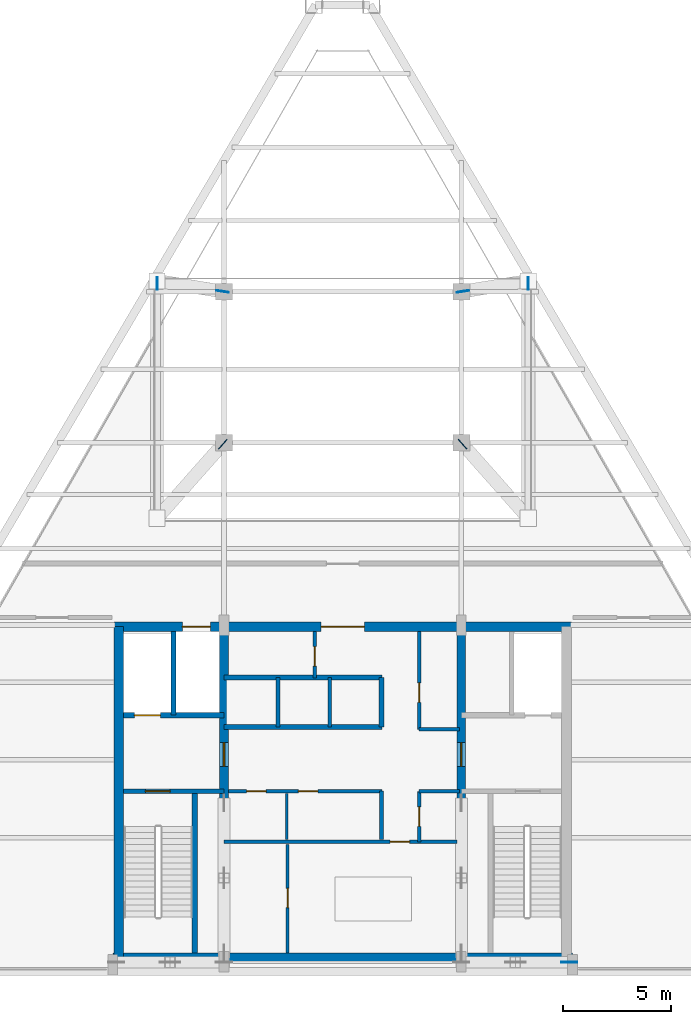
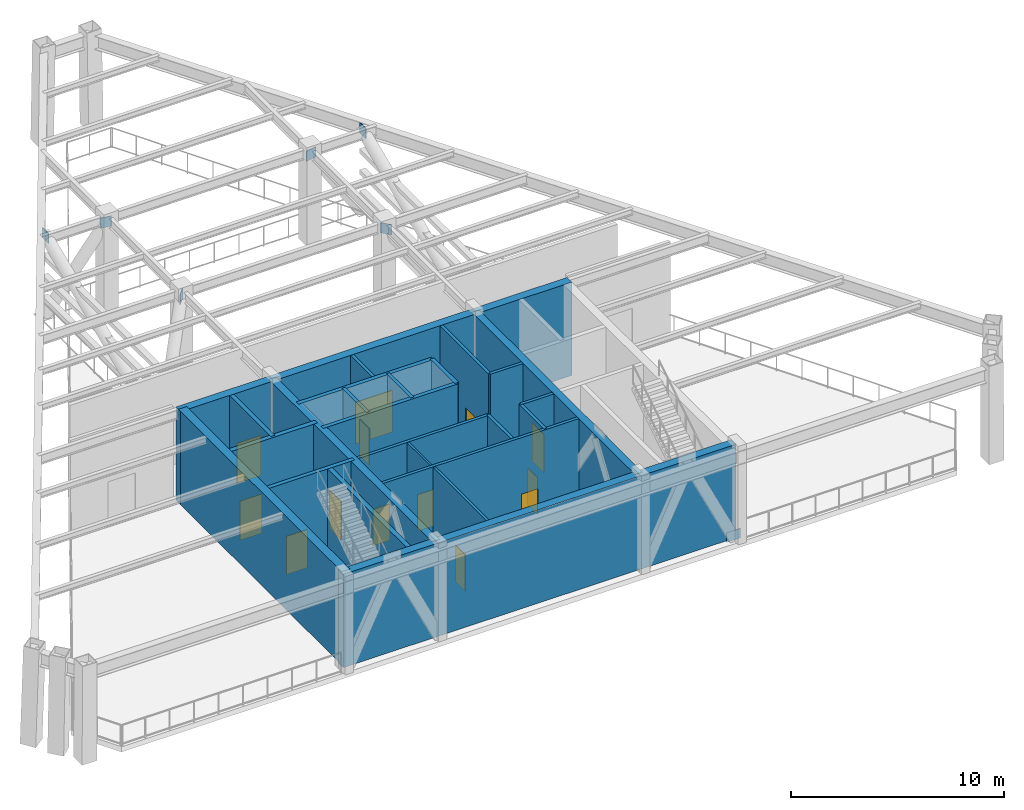
# One storey, part 3 of 6: 24 walls, 13 doors, 7 plates, 13 openings.
"""IFC4 building model written with IfcOpenShell, lengths in metres."""

from ifc_helpers import new_model, si_unit, direction, frame, frame_2d, origin, origin_2d, place, context, subcontext, project, spatial, rectangle, extrude, source, transform, mapped, material, layer, layer_set, type_object, type_shapes, element, fill, save


model = new_model("IFC4")

# Units and contexts
model_context = context("Model", 3, precision=1e-05, world=origin(), true_north=direction((0.0, 1.0)))
body_context = subcontext(model_context, "Body", "Model", "MODEL_VIEW")
ifc_project = project(units=[si_unit("LENGTHUNIT", "METRE"), si_unit("AREAUNIT", "SQUARE_METRE"), si_unit("VOLUMEUNIT", "CUBIC_METRE"), si_unit("PLANEANGLEUNIT", "RADIAN"), si_unit("MASSUNIT", "GRAM", prefix="KILO")], contexts=[model_context])

# Site, building, storey
site_placement = place(None, origin())
site = spatial("IfcSite", under=ifc_project, at=site_placement, CompositionType="ELEMENT")
building_placement = place(site_placement, origin())
building = spatial("IfcBuilding", under=site, at=building_placement, Name="Varnakhor Terracotta Tower", CompositionType="ELEMENT")
storey_placement = place(building_placement, frame((0.0, 0.0, 304.050048828125)))
storey = spatial("IfcBuildingStorey", under=building, at=storey_placement, Name="L80", CompositionType="ELEMENT", Elevation=304.050048828125)

# Plates
ifc_material_1 = material(Name="Steel S460", Category="steel")
ifc_layer_1 = layer(ifc_material_1, 0.050048828125, Name="Steel S460")
ifc_layer_set_1 = layer_set([ifc_layer_1], Name="Steel S460")
plate_type = type_object("IfcPlateType", Name="PLT-GUSSET-50", PredefinedType="USERDEFINED", material=ifc_layer_set_1)
shared_shape_1 = source(origin(), body_context, "Body", "SweptSolid", [
    extrude(rectangle(XDim=0.75, YDim=0.0400390625, at=origin_2d()), origin(), (0.0, 0.0, 1.0), 0.550048828125),
])
type_shapes(plate_type, [shared_shape_1])
plate_placement = place(storey_placement, frame((10.5, 0.419921875, -0.09521484375), z_axis=(0.0, 0.0, 1.0), x_axis=(1.0, 0.0, 0.0)))
element("IfcPlate", 1, at=plate_placement, inside=storey, type_object=plate_type, Name="L80 Core Brace Embed Plate CSEB", ObjectType="GUSSET PLATE", PredefinedType="USERDEFINED", context=body_context, shape_type="MappedRepresentation", body=[
    mapped(shared_shape_1, transform((0.0, 0.0, 0.0), scale=1.0)),
])
shared_shape_2 = source(origin(), body_context, "Body", "SweptSolid", [
    extrude(rectangle(XDim=0.580078125, YDim=0.0400390625, at=origin_2d()), origin(), (0.0, 0.0, 1.0), 0.580078125),
])
for number, where, z_axis, x_axis, name in (
    (2, (-5.55615234375, 24.4365234375, 4.624755859375), (0.0, 0.0, 1.0), (0.663038240634, 0.748585527149, 0.0), "L80 Brace End Connection Plate 232"),
    (3, (5.55615234375, 24.4365234375, 4.624755859375), (0.0, 0.0, 1.0), (-0.663038240634, 0.748585527149, 0.0), "L80 Brace End Connection Plate 233"),
    (4, (-5.56591796875, 31.510498046875, 4.610107421875), (0.0, 0.0, 1.0), (0.98724208518, -0.159226459013, 0.0), "L80 Brace End Connection Plate 234"),
    (5, (5.56591796875, 31.510498046875, 4.610107421875), (0.0, 0.0, 1.0), (-0.98724208518, -0.159226459013, 0.0), "L80 Brace End Connection Plate 235"),
    (6, (-8.60009765625, 31.8896484375, 4.662841796875), (0.0, 0.0, 1.0), (0.0, 1.0, 0.0), "L80 Brace End Connection Plate 236"),
    (7, (8.60009765625, 31.8896484375, 4.662841796875), (0.0, 0.0, 1.0), (0.0, 1.0, 0.0), "L80 Brace End Connection Plate 237"),
):
    element("IfcPlate", number, at=place(storey_placement, frame(where, z_axis=z_axis, x_axis=x_axis)), inside=storey, type_object=plate_type, Name=name, ObjectType="GUSSET PLATE", PredefinedType="USERDEFINED", context=body_context, shape_type="MappedRepresentation", body=[
        mapped(shared_shape_2, transform((0.0, 0.0, 0.0), scale=1.0)),
    ])

# Wall
ifc_material_2 = material(Name="Concrete C50/60", Category="concrete")
ifc_layer_2 = layer(ifc_material_2, 0.449951171875, Name="Concrete C50/60")
ifc_layer_set_2 = layer_set([ifc_layer_2], Name="Concrete C50/60")
wall_type_1 = type_object("IfcWallType", Name="WAL-CORE-450", PredefinedType="SHEAR", material=ifc_layer_set_2)
wall_1_placement = place(storey_placement, frame((-10.64990234375, 0.625, 0.0), z_axis=(0.0, 0.0, 1.0), x_axis=(1.0, 0.0, 0.0)))
element("IfcWall", 8, at=wall_1_placement, inside=storey, type_object=wall_type_1, Name="L80 South Core Shear Wall", PredefinedType="SHEAR", context=body_context, shape_type="SweptSolid", body=[
    extrude(rectangle(XDim=21.2998046875, YDim=0.449951171875, at=frame_2d((10.64990234375, 0.0))), origin(), (0.0, 0.0, 1.0), 5.349853515625),
])

# Wall, openings, doors
wall_2_placement = place(storey_placement, frame((-10.60009765625, 15.97509765625, 0.0), z_axis=(0.0, 0.0, 1.0), x_axis=(1.0, 0.0, 0.0)))
wall_2 = element("IfcWall", 9, at=wall_2_placement, inside=storey, type_object=wall_type_1, Name="L80 North Core Shear Wall", PredefinedType="SHEAR", context=body_context, shape_type="SweptSolid", body=[
    extrude(rectangle(XDim=21.2001953125, YDim=0.449951171875, at=frame_2d((10.60009765625, 0.0))), origin(), (0.0, 0.0, 1.0), 5.349853515625),
])
opening_1_placement = place(wall_2_placement, frame((3.169921875, 0.0, 0.0)))
opening_1 = element("IfcOpeningElement", 10, at=opening_1_placement, cuts=wall_2, Name="Opening LD-03", PredefinedType="OPENING", context=body_context, shape_type="SweptSolid", body=[
    extrude(rectangle(XDim=1.300048828125, YDim=2.300048828125, at=frame_2d((0.64990234375, 1.14990234375))), frame((0.0, 0.23486328125, 0.0), z_axis=(0.0, -1.0, 0.0), x_axis=(1.0, 0.0, 0.0)), (0.0, 0.0, 1.0), 0.469970703125),
])
opening_2_placement = place(wall_2_placement, frame((9.60009765625, 0.0, 0.0)))
opening_2 = element("IfcOpeningElement", 11, at=opening_2_placement, cuts=wall_2, Name="Opening DR-32", PredefinedType="OPENING", context=body_context, shape_type="SweptSolid", body=[
    extrude(rectangle(XDim=2.0, YDim=2.39990234375, at=frame_2d((1.0, 1.199951171875))), frame((0.0, 0.23486328125, 0.0), z_axis=(0.0, -1.0, 0.0), x_axis=(1.0, 0.0, 0.0)), (0.0, 0.0, 1.0), 0.469970703125),
])
ifc_material_3 = material(Name="Heavy-Duty Goods Sliding Lift Landing Door", Category="steel")
door_type_1 = type_object("IfcDoorType", Name="LD-SRV-1300X2300", OperationType="NOTDEFINED", PredefinedType="DOOR", material=ifc_material_3)
shared_shape_3 = source(origin(), body_context, "Body", "SweptSolid", [
    extrude(rectangle(XDim=1.300048828125, YDim=2.300048828125, at=frame_2d((0.64990234375, 1.14990234375))), frame((0.0, 0.02490234375, 0.0), z_axis=(0.0, -1.0, 0.0), x_axis=(1.0, 0.0, 0.0)), (0.0, 0.0, 1.0), 0.050048828125),
])
type_shapes(door_type_1, [shared_shape_3])
door_1_placement = place(opening_1_placement, origin())
door_1 = element("IfcDoor", 12, at=door_1_placement, inside=storey, type_object=door_type_1, Name="L80 Service Lift SVL-1 Landing Door", OperationType="SLIDING_TO_RIGHT", OverallHeight=2.300048828125, OverallWidth=1.300048828125, PredefinedType="DOOR", context=body_context, shape_type="MappedRepresentation", body=[
    mapped(shared_shape_3, transform((0.0, 0.0, 0.0), scale=1.0)),
])
fill(opening_1, door_1)
ifc_material_4 = material(Name="Acoustic Double Assembly Fire Door", Category="wood")
door_type_2 = type_object("IfcDoorType", Name="DR-HALL-2000X2400", OperationType="NOTDEFINED", PredefinedType="DOOR", material=ifc_material_4)
shared_shape_4 = source(origin(), body_context, "Body", "SweptSolid", [
    extrude(rectangle(XDim=2.0, YDim=2.39990234375, at=frame_2d((1.0, 1.199951171875))), frame((0.0, 0.02490234375, 0.0), z_axis=(0.0, -1.0, 0.0), x_axis=(1.0, 0.0, 0.0)), (0.0, 0.0, 1.0), 0.050048828125),
])
type_shapes(door_type_2, [shared_shape_4])
door_2_placement = place(opening_2_placement, origin())
door_2 = element("IfcDoor", 13, at=door_2_placement, inside=storey, type_object=door_type_2, Name="L80 Core Main Lobby Double Door", OperationType="DOUBLE_DOOR_SINGLE_SWING", OverallHeight=2.39990234375, OverallWidth=2.0, PredefinedType="DOOR", context=body_context, shape_type="MappedRepresentation", body=[
    mapped(shared_shape_4, transform((0.0, 0.0, 0.0), scale=1.0)),
])
fill(opening_2, door_2)

# Wall
wall_3_placement = place(storey_placement, frame((-10.375, 0.625, 0.0), z_axis=(0.0, 0.0, 1.0), x_axis=(0.0, 1.0, 0.0)))
element("IfcWall", 14, at=wall_3_placement, inside=storey, type_object=wall_type_1, Name="L80 West Core Shear Wall", PredefinedType="SHEAR", context=body_context, shape_type="SweptSolid", body=[
    extrude(rectangle(XDim=15.35009765625, YDim=0.449951171875, at=frame_2d((7.675048828125, 0.0))), origin(), (0.0, 0.0, 1.0), 5.349853515625),
])

# Wall, opening, door
ifc_layer_3 = layer(ifc_material_2, 0.39990234375, Name="Concrete C50/60")
ifc_layer_set_3 = layer_set([ifc_layer_3], Name="Concrete C50/60")
wall_type_2 = type_object("IfcWallType", Name="WAL-CORE-WEB-400", PredefinedType="SHEAR", material=ifc_layer_set_3)
wall_4_placement = place(storey_placement, frame((-5.5, 0.625, 0.0), z_axis=(0.0, 0.0, 1.0), x_axis=(0.0, 1.0, 0.0)))
wall_4 = element("IfcWall", 15, at=wall_4_placement, inside=storey, type_object=wall_type_2, Name="L80 West Core Web Shear Wall", PredefinedType="SHEAR", context=body_context, shape_type="SweptSolid", body=[
    extrude(rectangle(XDim=15.35009765625, YDim=0.39990234375, at=frame_2d((7.675048828125, 0.0))), origin(), (0.0, 0.0, 1.0), 5.349853515625),
])
opening_3_placement = place(wall_4_placement, frame((8.875, 0.0, 0.0)))
opening_3 = element("IfcOpeningElement", 16, at=opening_3_placement, cuts=wall_4, Name="Opening DR-25", PredefinedType="OPENING", context=body_context, shape_type="SweptSolid", body=[
    extrude(rectangle(XDim=1.10009765625, YDim=2.199951171875, at=frame_2d((0.550048828125, 1.10009765625))), frame((0.0, 0.2099609375, 0.0), z_axis=(0.0, -1.0, 0.0), x_axis=(1.0, 0.0, 0.0)), (0.0, 0.0, 1.0), 0.419921875),
])
ifc_material_5 = material(Name="Firefighting Lobby Self-Closing Fire Door", Category="steel")
door_type_3 = type_object("IfcDoorType", Name="DR-FFL-1100X2200", OperationType="NOTDEFINED", PredefinedType="DOOR", material=ifc_material_5)
shared_shape_5 = source(origin(), body_context, "Body", "SweptSolid", [
    extrude(rectangle(XDim=1.10009765625, YDim=2.199951171875, at=frame_2d((0.550048828125, 1.10009765625))), frame((0.0, 0.02490234375, 0.0), z_axis=(0.0, -1.0, 0.0), x_axis=(1.0, 0.0, 0.0)), (0.0, 0.0, 1.0), 0.050048828125),
])
type_shapes(door_type_3, [shared_shape_5])
door_3_placement = place(opening_3_placement, origin())
door_3 = element("IfcDoor", 17, at=door_3_placement, inside=storey, type_object=door_type_3, Name="L80 West Firefighting Lobby Door", OperationType="SINGLE_SWING_RIGHT", OverallHeight=2.199951171875, OverallWidth=1.10009765625, PredefinedType="DOOR", context=body_context, shape_type="MappedRepresentation", body=[
    mapped(shared_shape_5, transform((0.0, 0.0, 0.0), scale=1.0)),
])
fill(opening_3, door_3)

wall_5_placement = place(storey_placement, frame((5.5, 0.625, 0.0), z_axis=(0.0, 0.0, 1.0), x_axis=(0.0, 1.0, 0.0)))
wall_5 = element("IfcWall", 18, at=wall_5_placement, inside=storey, type_object=wall_type_2, Name="L80 East Core Web Shear Wall", PredefinedType="SHEAR", context=body_context, shape_type="SweptSolid", body=[
    extrude(rectangle(XDim=15.35009765625, YDim=0.39990234375, at=frame_2d((7.675048828125, 0.0))), origin(), (0.0, 0.0, 1.0), 5.349853515625),
])
opening_4_placement = place(wall_5_placement, frame((8.875, 0.0, 0.0)))
opening_4 = element("IfcOpeningElement", 19, at=opening_4_placement, cuts=wall_5, Name="Opening DR-25", PredefinedType="OPENING", context=body_context, shape_type="SweptSolid", body=[
    extrude(rectangle(XDim=1.10009765625, YDim=2.199951171875, at=frame_2d((0.550048828125, 1.10009765625))), frame((0.0, 0.2099609375, 0.0), z_axis=(0.0, -1.0, 0.0), x_axis=(1.0, 0.0, 0.0)), (0.0, 0.0, 1.0), 0.419921875),
])
door_4_placement = place(opening_4_placement, origin())
door_4 = element("IfcDoor", 20, at=door_4_placement, inside=storey, type_object=door_type_3, Name="L80 East Firefighting Lobby Door", OperationType="SINGLE_SWING_RIGHT", OverallHeight=2.199951171875, OverallWidth=1.10009765625, PredefinedType="DOOR", context=body_context, shape_type="MappedRepresentation", body=[
    mapped(shared_shape_5, transform((0.0, 0.0, 0.0), scale=1.0)),
])
fill(opening_4, door_4)

ifc_material_6 = material(Name="Concrete C40/50", Category="concrete")
ifc_layer_4 = layer(ifc_material_6, 0.219970703125, Name="Concrete C40/50")
ifc_layer_set_4 = layer_set([ifc_layer_4], Name="Concrete C40/50")
wall_type_3 = type_object("IfcWallType", Name="WAL-FFLOBBY-220", PredefinedType="SOLIDWALL", material=ifc_layer_set_4)
wall_6_placement = place(storey_placement, frame((-5.5, 8.35009765625, 0.0), z_axis=(0.0, 0.0, 1.0), x_axis=(-1.0, 0.0, 0.0)))
wall_6 = element("IfcWall", 21, at=wall_6_placement, inside=storey, type_object=wall_type_3, Name="L80 West Firefighting Lobby Stair Wall", PredefinedType="SOLIDWALL", context=body_context, shape_type="SweptSolid", body=[
    extrude(rectangle(XDim=4.64990234375, YDim=0.219970703125, at=frame_2d((2.324951171875, 0.0))), origin(), (0.0, 0.0, 1.0), 5.349853515625),
])
opening_5_placement = place(wall_6_placement, frame((2.5, 0.0, 0.0)))
opening_5 = element("IfcOpeningElement", 22, at=opening_5_placement, cuts=wall_6, Name="Opening DR-34", PredefinedType="OPENING", context=body_context, shape_type="SweptSolid", body=[
    extrude(rectangle(XDim=1.14990234375, YDim=2.199951171875, at=frame_2d((0.574951171875, 1.10009765625))), frame((0.0, 0.1201171875, 0.0), z_axis=(0.0, -1.0, 0.0), x_axis=(1.0, 0.0, 0.0)), (0.0, 0.0, 1.0), 0.239990234375),
])
ifc_material_7 = material(Name="Self-Closing Smoke-Sealed Steel Fire Door", Category="steel")
door_type_4 = type_object("IfcDoorType", Name="DR-STAIR-1150X2200", OperationType="NOTDEFINED", PredefinedType="DOOR", material=ifc_material_7)
shared_shape_6 = source(origin(), body_context, "Body", "SweptSolid", [
    extrude(rectangle(XDim=1.14990234375, YDim=2.199951171875, at=frame_2d((0.574951171875, 1.10009765625))), frame((0.0, 0.02490234375, 0.0), z_axis=(0.0, -1.0, 0.0), x_axis=(1.0, 0.0, 0.0)), (0.0, 0.0, 1.0), 0.050048828125),
])
type_shapes(door_type_4, [shared_shape_6])
door_5_placement = place(opening_5_placement, origin())
door_5 = element("IfcDoor", 23, at=door_5_placement, inside=storey, type_object=door_type_4, Name="L80 Exit Stair ST-1 Fire Door", OperationType="SINGLE_SWING_LEFT", OverallHeight=2.199951171875, OverallWidth=1.14990234375, PredefinedType="DOOR", context=body_context, shape_type="MappedRepresentation", body=[
    mapped(shared_shape_6, transform((0.0, 0.0, 0.0), scale=1.0)),
])
fill(opening_5, door_5)

# Walls
ifc_layer_5 = layer(ifc_material_6, 0.179931640625, Name="Concrete C40/50")
ifc_layer_set_5 = layer_set([ifc_layer_5], Name="Concrete C40/50")
wall_type_4 = type_object("IfcWallType", Name="WAL-SHAFT-180", PredefinedType="SOLIDWALL", material=ifc_layer_set_5)
for number, where, z_axis, x_axis, name in (
    (24, (-3.0, 11.320068359375, 0.0), (0.0, 0.0, 1.0), (0.0, 1.0, 0.0), "L80 PL-3A Divider"),
    (25, (-0.60009765625, 11.320068359375, 0.0), (0.0, 0.0, 1.0), (0.0, 1.0, 0.0), "L80 PL-3B Divider"),
):
    element("IfcWall", number, at=place(storey_placement, frame(where, z_axis=z_axis, x_axis=x_axis)), inside=storey, type_object=wall_type_4, Name=name, PredefinedType="SOLIDWALL", context=body_context, shape_type="SweptSolid", body=[
        extrude(rectangle(XDim=2.300048828125, YDim=0.179931640625, at=frame_2d((1.14990234375, 0.0))), origin(), (0.0, 0.0, 1.0), 5.349853515625),
    ])
ifc_layer_6 = layer(ifc_material_6, 0.219970703125, Name="Concrete C40/50")
ifc_layer_set_6 = layer_set([ifc_layer_6], Name="Concrete C40/50")
wall_type_5 = type_object("IfcWallType", Name="WAL-SHAFT-220", PredefinedType="SOLIDWALL", material=ifc_layer_set_6)
wall_7_placement = place(storey_placement, frame((-7.840087890625, 11.8701171875, 0.0), z_axis=(0.0, 0.0, 1.0), x_axis=(0.0, 1.0, 0.0)))
element("IfcWall", 26, at=wall_7_placement, inside=storey, type_object=wall_type_5, Name="L80 Lift FFL-1 and SVL-1 Divider Wall", PredefinedType="SOLIDWALL", context=body_context, shape_type="SweptSolid", body=[
    extrude(rectangle(XDim=3.8798828125, YDim=0.219970703125, at=frame_2d((1.93994140625, 0.0))), origin(), (0.0, 0.0, 1.0), 5.349853515625),
])
for number, where, z_axis, x_axis, name in (
    (27, (-5.5, 11.320068359375, 0.0), (0.0, 0.0, 1.0), (1.0, 0.0, 0.0), "L80 Bank 3 South Shaft Wall"),
    (28, (-5.5, 13.6201171875, 0.0), (0.0, 0.0, 1.0), (1.0, 0.0, 0.0), "L80 Bank 3 North Shaft Wall"),
):
    element("IfcWall", number, at=place(storey_placement, frame(where, z_axis=z_axis, x_axis=x_axis)), inside=storey, type_object=wall_type_5, Name=name, PredefinedType="SOLIDWALL", context=body_context, shape_type="SweptSolid", body=[
        extrude(rectangle(XDim=7.320068359375, YDim=0.219970703125, at=frame_2d((3.66015625, 0.0))), origin(), (0.0, 0.0, 1.0), 5.349853515625),
    ])
wall_8_placement = place(storey_placement, frame((1.800048828125, 11.320068359375, 0.0), z_axis=(0.0, 0.0, 1.0), x_axis=(0.0, 1.0, 0.0)))
element("IfcWall", 29, at=wall_8_placement, inside=storey, type_object=wall_type_5, Name="L80 Bank 3 East Shaft Wall", PredefinedType="SOLIDWALL", context=body_context, shape_type="SweptSolid", body=[
    extrude(rectangle(XDim=2.300048828125, YDim=0.219970703125, at=frame_2d((1.14990234375, 0.0))), origin(), (0.0, 0.0, 1.0), 5.349853515625),
])
ifc_layer_7 = layer(ifc_material_6, 0.25, Name="Concrete C40/50")
ifc_layer_set_7 = layer_set([ifc_layer_7], Name="Concrete C40/50")
wall_type_6 = type_object("IfcWallType", Name="WAL-SHAFT-250", PredefinedType="SOLIDWALL", material=ifc_layer_set_7)
wall_9_placement = place(storey_placement, frame((-6.85009765625, 0.85009765625, 0.0), z_axis=(0.0, 0.0, 1.0), x_axis=(0.0, 1.0, 0.0)))
element("IfcWall", 30, at=wall_9_placement, inside=storey, type_object=wall_type_6, Name="L80 Stair ST-1 Bearing Shaft Wall", PredefinedType="SOLIDWALL", context=body_context, shape_type="SweptSolid", body=[
    extrude(rectangle(XDim=7.5, YDim=0.25, at=frame_2d((3.75, 0.0))), origin(), (0.0, 0.0, 1.0), 5.349853515625),
])

# Wall, opening, door
wall_10_placement = place(storey_placement, frame((-5.5, 11.8701171875, 0.0), z_axis=(0.0, 0.0, 1.0), x_axis=(-1.0, 0.0, 0.0)))
wall_10 = element("IfcWall", 31, at=wall_10_placement, inside=storey, type_object=wall_type_6, Name="L80 Lift FFL-1 Shaft Front Wall", PredefinedType="SOLIDWALL", context=body_context, shape_type="SweptSolid", body=[
    extrude(rectangle(XDim=4.64990234375, YDim=0.25, at=frame_2d((2.324951171875, 0.0))), origin(), (0.0, 0.0, 1.0), 5.349853515625),
])
opening_6_placement = place(wall_10_placement, frame((2.949951171875, 0.0, 0.0)))
opening_6 = element("IfcOpeningElement", 32, at=opening_6_placement, cuts=wall_10, Name="Opening LD-02", PredefinedType="OPENING", context=body_context, shape_type="SweptSolid", body=[
    extrude(rectangle(XDim=1.199951171875, YDim=2.25, at=frame_2d((0.60009765625, 1.125))), frame((0.0, 0.135009765625, 0.0), z_axis=(0.0, -1.0, 0.0), x_axis=(1.0, 0.0, 0.0)), (0.0, 0.0, 1.0), 0.27001953125),
])
ifc_material_8 = material(Name="Firefighting Stretcher Sliding Lift Landing Door", Category="steel")
door_type_5 = type_object("IfcDoorType", Name="LD-FFL-1200X2250", OperationType="NOTDEFINED", PredefinedType="DOOR", material=ifc_material_8)
shared_shape_7 = source(origin(), body_context, "Body", "SweptSolid", [
    extrude(rectangle(XDim=1.199951171875, YDim=2.25, at=frame_2d((0.60009765625, 1.125))), frame((0.0, 0.02490234375, 0.0), z_axis=(0.0, -1.0, 0.0), x_axis=(1.0, 0.0, 0.0)), (0.0, 0.0, 1.0), 0.050048828125),
])
type_shapes(door_type_5, [shared_shape_7])
door_6_placement = place(opening_6_placement, origin())
door_6 = element("IfcDoor", 33, at=door_6_placement, inside=storey, type_object=door_type_5, Name="L80 Firefighting Lift FFL-1 Landing Door", OperationType="SLIDING_TO_LEFT", OverallHeight=2.25, OverallWidth=1.199951171875, PredefinedType="DOOR", context=body_context, shape_type="MappedRepresentation", body=[
    mapped(shared_shape_7, transform((0.0, 0.0, 0.0), scale=1.0)),
])
fill(opening_6, door_6)

# Wall
ifc_material_9 = material(Name="Acoustic Fire-Rated Partition", Category="gypsum")
ifc_layer_8 = layer(ifc_material_9, 0.114990234375, Name="Acoustic Fire-Rated Partition")
ifc_layer_set_8 = layer_set([ifc_layer_8], Name="Acoustic Fire-Rated Partition")
wall_type_7 = type_object("IfcWallType", Name="WAL-TENANCY-115", PredefinedType="PARTITIONING", material=ifc_layer_set_8)
wall_11_placement = place(storey_placement, frame((-2.60009765625, 6.10009765625, 0.0), z_axis=(0.0, 0.0, 1.0), x_axis=(0.0, 1.0, 0.0)))
element("IfcWall", 34, at=wall_11_placement, inside=storey, type_object=wall_type_7, Name="L80 Reclaimed Mid-Core Split Wall", PredefinedType="PARTITIONING", context=body_context, shape_type="SweptSolid", body=[
    extrude(rectangle(XDim=2.14990234375, YDim=0.114990234375, at=frame_2d((1.074951171875, 0.0))), origin(), (0.0, 0.0, 1.0), 5.342041015625),
])

# Wall, opening, door
ifc_layer_9 = layer(ifc_material_9, 0.139892578125, Name="Acoustic Fire-Rated Partition")
ifc_layer_set_9 = layer_set([ifc_layer_9], Name="Acoustic Fire-Rated Partition")
wall_type_8 = type_object("IfcWallType", Name="WAL-TENANCY-140", PredefinedType="PARTITIONING", material=ifc_layer_set_9)
wall_12_placement = place(storey_placement, frame((-2.550048828125, 0.85009765625, 0.0), z_axis=(0.0, 0.0, 1.0), x_axis=(0.0, 1.0, 0.0)))
wall_12 = element("IfcWall", 35, at=wall_12_placement, inside=storey, type_object=wall_type_8, Name="L80 Reclaimed Core Bay Split Wall", PredefinedType="PARTITIONING", context=body_context, shape_type="SweptSolid", body=[
    extrude(rectangle(XDim=5.02978515625, YDim=0.139892578125, at=frame_2d((2.514892578125, 0.0))), origin(), (0.0, 0.0, 1.0), 5.342041015625),
])
opening_7_placement = place(wall_12_placement, frame((2.10009765625, 0.0, 0.0)))
opening_7 = element("IfcOpeningElement", 36, at=opening_7_placement, cuts=wall_12, Name="Opening DR-67", PredefinedType="OPENING", context=body_context, shape_type="SweptSolid", body=[
    extrude(rectangle(XDim=0.89990234375, YDim=2.10009765625, at=frame_2d((0.449951171875, 1.050048828125))), frame((0.0, 0.080078125, 0.0), z_axis=(0.0, -1.0, 0.0), x_axis=(1.0, 0.0, 0.0)), (0.0, 0.0, 1.0), 0.159912109375),
])
ifc_material_10 = material(Name="Steel Service Riser Fire Door", Category="steel")
door_type_6 = type_object("IfcDoorType", Name="DR-RISER-900X2100", OperationType="NOTDEFINED", PredefinedType="DOOR", material=ifc_material_10)
shared_shape_8 = source(origin(), body_context, "Body", "SweptSolid", [
    extrude(rectangle(XDim=0.89990234375, YDim=2.10009765625, at=frame_2d((0.449951171875, 1.050048828125))), frame((0.0, 0.02490234375, 0.0), z_axis=(0.0, -1.0, 0.0), x_axis=(1.0, 0.0, 0.0)), (0.0, 0.0, 1.0), 0.050048828125),
])
type_shapes(door_type_6, [shared_shape_8])
door_7_placement = place(opening_7_placement, origin())
door_7 = element("IfcDoor", 37, at=door_7_placement, inside=storey, type_object=door_type_6, Name="L80 Core Inner Service Door", OperationType="SINGLE_SWING_RIGHT", OverallHeight=2.10009765625, OverallWidth=0.89990234375, PredefinedType="DOOR", context=body_context, shape_type="MappedRepresentation", body=[
    mapped(shared_shape_8, transform((0.0, 0.0, 0.0), scale=1.0)),
])
fill(opening_7, door_7)

ifc_layer_10 = layer(ifc_material_9, 0.1650390625, Name="Acoustic Fire-Rated Partition")
ifc_layer_set_10 = layer_set([ifc_layer_10], Name="Acoustic Fire-Rated Partition")
wall_type_9 = type_object("IfcWallType", Name="WAL-TENANCY-165", PredefinedType="PARTITIONING", material=ifc_layer_set_10)
wall_13_placement = place(storey_placement, frame((-5.5, 6.0, 0.0), z_axis=(0.0, 0.0, 1.0), x_axis=(1.0, 0.0, 0.0)))
wall_13 = element("IfcWall", 38, at=wall_13_placement, inside=storey, type_object=wall_type_9, Name="L80 Reclaimed Core Bay North Rated Wall", PredefinedType="PARTITIONING", context=body_context, shape_type="SweptSolid", body=[
    extrude(rectangle(XDim=10.800048828125, YDim=0.1650390625, at=frame_2d((5.39990234375, 0.0))), origin(), (0.0, 0.0, 1.0), 5.342041015625),
])
opening_8_placement = place(wall_13_placement, frame((7.699951171875, 0.0, 0.0)))
opening_8 = element("IfcOpeningElement", 39, at=opening_8_placement, cuts=wall_13, Name="Opening DR-67", PredefinedType="OPENING", context=body_context, shape_type="SweptSolid", body=[
    extrude(rectangle(XDim=0.89990234375, YDim=2.10009765625, at=frame_2d((0.449951171875, 1.050048828125))), frame((0.0, 0.092529296875, 0.0), z_axis=(0.0, -1.0, 0.0), x_axis=(1.0, 0.0, 0.0)), (0.0, 0.0, 1.0), 0.18505859375),
])
door_8_placement = place(opening_8_placement, origin())
door_8 = element("IfcDoor", 40, at=door_8_placement, inside=storey, type_object=door_type_6, Name="L80 Core Reclaimed Suite Door", OperationType="SINGLE_SWING_LEFT", OverallHeight=2.10009765625, OverallWidth=0.89990234375, PredefinedType="DOOR", context=body_context, shape_type="MappedRepresentation", body=[
    mapped(shared_shape_8, transform((0.0, 0.0, 0.0), scale=1.0)),
])
fill(opening_8, door_8)

wall_14_placement = place(storey_placement, frame((3.5400390625, 6.0, 0.0), z_axis=(0.0, 0.0, 1.0), x_axis=(0.0, 1.0, 0.0)))
wall_14 = element("IfcWall", 41, at=wall_14_placement, inside=storey, type_object=wall_type_9, Name="L80 Accessible WC Rated Wall", PredefinedType="PARTITIONING", context=body_context, shape_type="SweptSolid", body=[
    extrude(rectangle(XDim=2.340087890625, YDim=0.1650390625, at=frame_2d((1.169921875, 0.0))), origin(), (0.0, 0.0, 1.0), 5.342041015625),
])
opening_9_placement = place(wall_14_placement, frame((0.719970703125, 0.0, 0.0)))
opening_9 = element("IfcOpeningElement", 42, at=opening_9_placement, cuts=wall_14, Name="Opening DR-67", PredefinedType="OPENING", context=body_context, shape_type="SweptSolid", body=[
    extrude(rectangle(XDim=0.89990234375, YDim=2.10009765625, at=frame_2d((0.449951171875, 1.050048828125))), frame((0.0, 0.092529296875, 0.0), z_axis=(0.0, -1.0, 0.0), x_axis=(1.0, 0.0, 0.0)), (0.0, 0.0, 1.0), 0.18505859375),
])
door_9_placement = place(opening_9_placement, origin())
door_9 = element("IfcDoor", 43, at=door_9_placement, inside=storey, type_object=door_type_6, Name="L80 Accessible WC Door", OperationType="SINGLE_SWING_LEFT", OverallHeight=2.10009765625, OverallWidth=0.89990234375, PredefinedType="DOOR", context=body_context, shape_type="MappedRepresentation", body=[
    mapped(shared_shape_8, transform((0.0, 0.0, 0.0), scale=1.0)),
])
fill(opening_9, door_9)

# Wall
wall_15_placement = place(storey_placement, frame((3.5400390625, 8.340087890625, 0.0), z_axis=(0.0, 0.0, 1.0), x_axis=(1.0, 0.0, 0.0)))
element("IfcWall", 44, at=wall_15_placement, inside=storey, type_object=wall_type_9, Name="L80 Accessible WC North Wall", PredefinedType="PARTITIONING", context=body_context, shape_type="SweptSolid", body=[
    extrude(rectangle(XDim=1.8798828125, YDim=0.1650390625, at=frame_2d((0.93994140625, 0.0))), origin(), (0.0, 0.0, 1.0), 5.342041015625),
])

# Wall, openings, doors
wall_16_placement = place(storey_placement, frame((-5.300048828125, 8.35009765625, 0.0), z_axis=(0.0, 0.0, 1.0), x_axis=(1.0, 0.0, 0.0)))
wall_16 = element("IfcWall", 45, at=wall_16_placement, inside=storey, type_object=wall_type_9, Name="L80 Reclaimed Mid-Core North Wall", PredefinedType="PARTITIONING", context=body_context, shape_type="SweptSolid", body=[
    extrude(rectangle(XDim=7.1201171875, YDim=0.1650390625, at=frame_2d((3.56005859375, 0.0))), origin(), (0.0, 0.0, 1.0), 5.342041015625),
])
opening_10_placement = place(wall_16_placement, frame((0.85009765625, 0.0, 0.0)))
opening_10 = element("IfcOpeningElement", 46, at=opening_10_placement, cuts=wall_16, Name="Opening DR-67", PredefinedType="OPENING", context=body_context, shape_type="SweptSolid", body=[
    extrude(rectangle(XDim=0.89990234375, YDim=2.10009765625, at=frame_2d((0.449951171875, 1.050048828125))), frame((0.0, 0.092529296875, 0.0), z_axis=(0.0, -1.0, 0.0), x_axis=(1.0, 0.0, 0.0)), (0.0, 0.0, 1.0), 0.18505859375),
])
opening_11_placement = place(wall_16_placement, frame((3.25, 0.0, 0.0)))
opening_11 = element("IfcOpeningElement", 47, at=opening_11_placement, cuts=wall_16, Name="Opening DR-67", PredefinedType="OPENING", context=body_context, shape_type="SweptSolid", body=[
    extrude(rectangle(XDim=0.89990234375, YDim=2.10009765625, at=frame_2d((0.449951171875, 1.050048828125))), frame((0.0, 0.092529296875, 0.0), z_axis=(0.0, -1.0, 0.0), x_axis=(1.0, 0.0, 0.0)), (0.0, 0.0, 1.0), 0.18505859375),
])
door_10_placement = place(opening_10_placement, origin())
door_10 = element("IfcDoor", 48, at=door_10_placement, inside=storey, type_object=door_type_6, Name="L80 Core West Restroom Door", OperationType="SINGLE_SWING_RIGHT", OverallHeight=2.10009765625, OverallWidth=0.89990234375, PredefinedType="DOOR", context=body_context, shape_type="MappedRepresentation", body=[
    mapped(shared_shape_8, transform((0.0, 0.0, 0.0), scale=1.0)),
])
fill(opening_10, door_10)
door_11_placement = place(opening_11_placement, origin())
door_11 = element("IfcDoor", 49, at=door_11_placement, inside=storey, type_object=door_type_6, Name="L80 Core East Restroom Door", OperationType="SINGLE_SWING_LEFT", OverallHeight=2.10009765625, OverallWidth=0.89990234375, PredefinedType="DOOR", context=body_context, shape_type="MappedRepresentation", body=[
    mapped(shared_shape_8, transform((0.0, 0.0, 0.0), scale=1.0)),
])
fill(opening_11, door_11)

# Wall
wall_17_placement = place(storey_placement, frame((1.800048828125, 6.10009765625, 0.0), z_axis=(0.0, 0.0, 1.0), x_axis=(0.0, 1.0, 0.0)))
element("IfcWall", 50, at=wall_17_placement, inside=storey, type_object=wall_type_9, Name="L80 Reclaimed Mid-Core East Wall", PredefinedType="PARTITIONING", context=body_context, shape_type="SweptSolid", body=[
    extrude(rectangle(XDim=2.25, YDim=0.1650390625, at=frame_2d((1.125, 0.0))), origin(), (0.0, 0.0, 1.0), 5.342041015625),
])

# Wall, opening, door
wall_18_placement = place(storey_placement, frame((-1.300048828125, 13.60009765625, 0.0), z_axis=(0.0, 0.0, 1.0), x_axis=(0.0, 1.0, 0.0)))
wall_18 = element("IfcWall", 51, at=wall_18_placement, inside=storey, type_object=wall_type_9, Name="L80 Male Restroom Wall", PredefinedType="PARTITIONING", context=body_context, shape_type="SweptSolid", body=[
    extrude(rectangle(XDim=2.14990234375, YDim=0.1650390625, at=frame_2d((1.074951171875, 0.0))), origin(), (0.0, 0.0, 1.0), 5.342041015625),
])
opening_12_placement = place(wall_18_placement, frame((0.550048828125, 0.0, 0.0)))
opening_12 = element("IfcOpeningElement", 52, at=opening_12_placement, cuts=wall_18, Name="Opening DR-67", PredefinedType="OPENING", context=body_context, shape_type="SweptSolid", body=[
    extrude(rectangle(XDim=0.89990234375, YDim=2.10009765625, at=frame_2d((0.449951171875, 1.050048828125))), frame((0.0, 0.092529296875, 0.0), z_axis=(0.0, -1.0, 0.0), x_axis=(1.0, 0.0, 0.0)), (0.0, 0.0, 1.0), 0.18505859375),
])
door_12_placement = place(opening_12_placement, origin())
door_12 = element("IfcDoor", 53, at=door_12_placement, inside=storey, type_object=door_type_6, Name="L80 Male WC Door", OperationType="SINGLE_SWING_RIGHT", OverallHeight=2.10009765625, OverallWidth=0.89990234375, PredefinedType="DOOR", context=body_context, shape_type="MappedRepresentation", body=[
    mapped(shared_shape_8, transform((0.0, 0.0, 0.0), scale=1.0)),
])
fill(opening_12, door_12)

wall_19_placement = place(storey_placement, frame((3.5400390625, 11.219970703125, 0.0), z_axis=(0.0, 0.0, 1.0), x_axis=(0.0, 1.0, 0.0)))
wall_19 = element("IfcWall", 54, at=wall_19_placement, inside=storey, type_object=wall_type_9, Name="L80 Restroom Corridor Wall", PredefinedType="PARTITIONING", context=body_context, shape_type="SweptSolid", body=[
    extrude(rectangle(XDim=4.530029296875, YDim=0.1650390625, at=frame_2d((2.26513671875, 0.0))), origin(), (0.0, 0.0, 1.0), 5.342041015625),
])
opening_13_placement = place(wall_19_placement, frame((1.25, 0.0, 0.0)))
opening_13 = element("IfcOpeningElement", 55, at=opening_13_placement, cuts=wall_19, Name="Opening DR-67", PredefinedType="OPENING", context=body_context, shape_type="SweptSolid", body=[
    extrude(rectangle(XDim=0.89990234375, YDim=2.10009765625, at=frame_2d((0.449951171875, 1.050048828125))), frame((0.0, 0.092529296875, 0.0), z_axis=(0.0, -1.0, 0.0), x_axis=(1.0, 0.0, 0.0)), (0.0, 0.0, 1.0), 0.18505859375),
])
door_13_placement = place(opening_13_placement, origin())
door_13 = element("IfcDoor", 56, at=door_13_placement, inside=storey, type_object=door_type_6, Name="L80 Female WC Door", OperationType="SINGLE_SWING_LEFT", OverallHeight=2.10009765625, OverallWidth=0.89990234375, PredefinedType="DOOR", context=body_context, shape_type="MappedRepresentation", body=[
    mapped(shared_shape_8, transform((0.0, 0.0, 0.0), scale=1.0)),
])
fill(opening_13, door_13)

# Wall
wall_20_placement = place(storey_placement, frame((3.5400390625, 11.219970703125, 0.0), z_axis=(0.0, 0.0, 1.0), x_axis=(1.0, 0.0, 0.0)))
element("IfcWall", 57, at=wall_20_placement, inside=storey, type_object=wall_type_9, Name="L80 Restroom South Wall", PredefinedType="PARTITIONING", context=body_context, shape_type="SweptSolid", body=[
    extrude(rectangle(XDim=1.8798828125, YDim=0.1650390625, at=frame_2d((0.93994140625, 0.0))), origin(), (0.0, 0.0, 1.0), 5.342041015625),
])

save(model, "model.ifc")
